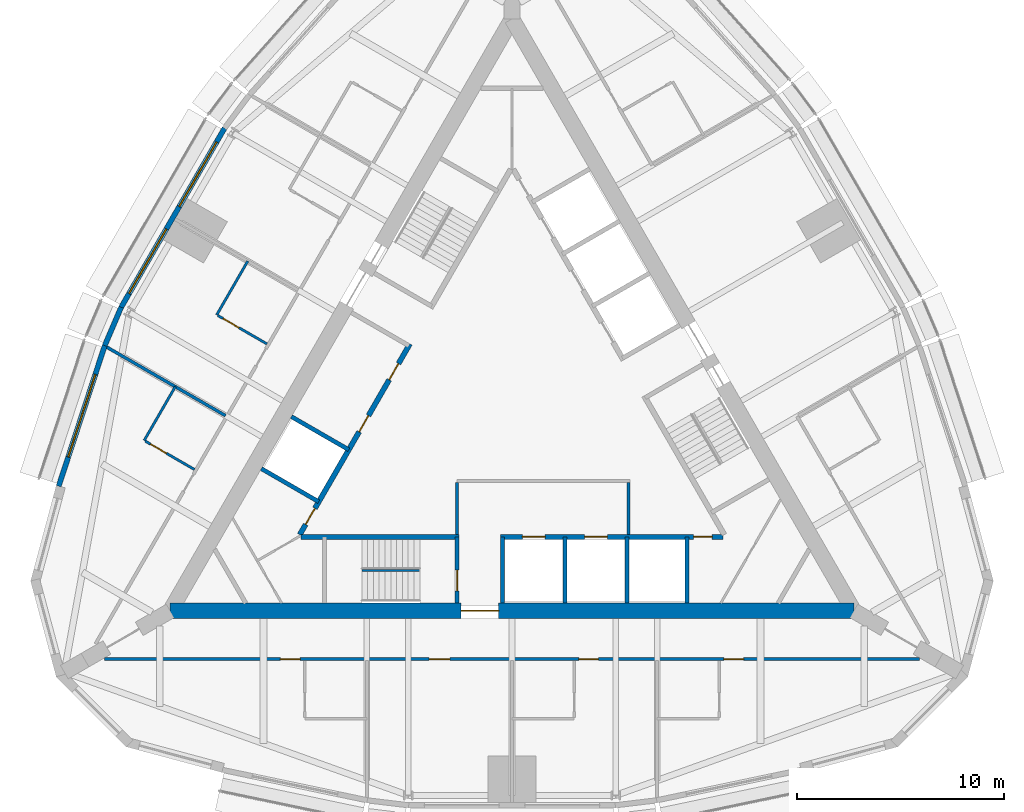
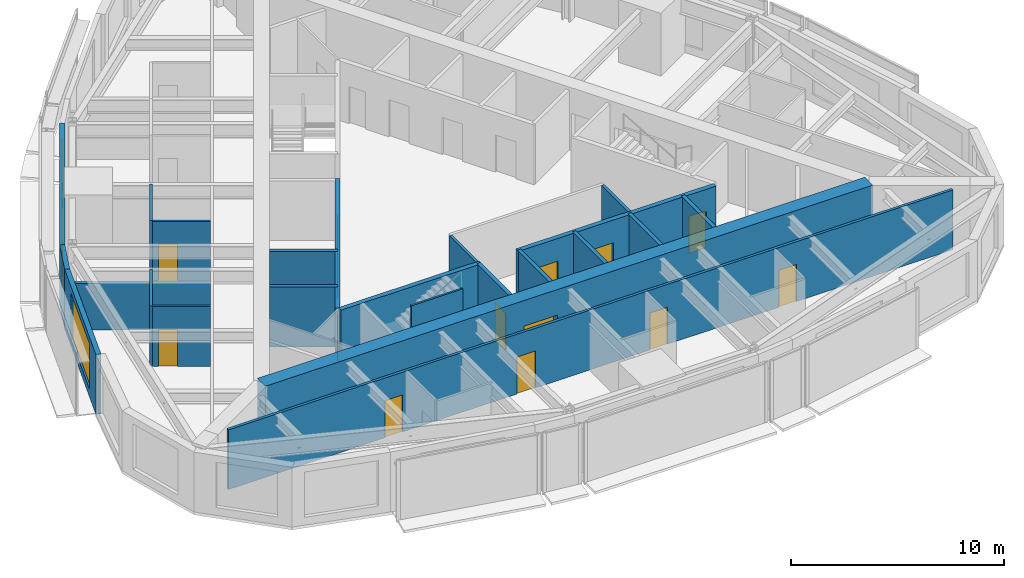
# One storey, part 8 of 12: 23 walls, 14 doors, 3 windows, 17 openings.
"""IFC4 building model written with IfcOpenShell, lengths in metres."""

from ifc_helpers import new_model, si_unit, direction, frame, frame_2d, origin, place, context, subcontext, project, spatial, rectangle, extrude, material, layer, layer_set, type_object, element, fill, save


model = new_model("IFC4")

# Units and contexts
model_context = context("Model", 3, precision=1e-05, world=origin(), true_north=direction((0.0, 1.0)))
body_context = subcontext(model_context, "Body", "Model", "MODEL_VIEW")
ifc_project = project(units=[si_unit("LENGTHUNIT", "METRE"), si_unit("AREAUNIT", "SQUARE_METRE"), si_unit("VOLUMEUNIT", "CUBIC_METRE"), si_unit("PLANEANGLEUNIT", "RADIAN"), si_unit("MASSUNIT", "GRAM", prefix="KILO")], contexts=[model_context])

# Site, building, storey
site_placement = place(None, origin())
site = spatial("IfcSite", under=ifc_project, at=site_placement, CompositionType="ELEMENT")
building_placement = place(site_placement, origin())
building = spatial("IfcBuilding", under=site, at=building_placement, Name="Trikona Tower", CompositionType="ELEMENT")
storey_placement = place(building_placement, frame((0.0, 0.0, 242.89990234375)))
storey = spatial("IfcBuildingStorey", under=building, at=storey_placement, Name="L64", CompositionType="ELEMENT", Elevation=242.89990234375)

# Wall
ifc_material_1 = material(Name="Metal stud and cement board", Category="gypsum")
ifc_layer_1 = layer(ifc_material_1, 0.1201171875)
ifc_layer_set_1 = layer_set([ifc_layer_1], Name="Bathroom wall 120")
wall_type_1 = type_object("IfcWallType", Name="Bathroom wall 120", PredefinedType="PLUMBINGWALL", material=ifc_layer_set_1)
wall_1_placement = place(storey_placement, frame((-12.75341796875, 7.363037109375, 0.0), z_axis=(0.0, 0.0, 1.0), x_axis=(-0.50002537861, -0.866010750942, 0.0)))
element("IfcWall", 1, at=wall_1_placement, inside=storey, type_object=wall_type_1, Name="Bathroom wall 6408", PredefinedType="PLUMBINGWALL", context=body_context, shape_type="SweptSolid", body=[
    extrude(rectangle(XDim=2.999755859375, YDim=0.1201171875, at=frame_2d((1.5, 0.0))), origin(), (0.0, 0.0, 1.0), 3.43505859375),
])

# Wall, opening, door
wall_2_placement = place(storey_placement, frame((-11.82861328125, 3.364990234375, 0.0), z_axis=(0.0, 0.0, 1.0), x_axis=(-0.865997131366, 0.500048966069, 0.0)))
wall_2 = element("IfcWall", 2, at=wall_2_placement, inside=storey, type_object=wall_type_1, Name="Bathroom wall 6408", PredefinedType="PLUMBINGWALL", context=body_context, shape_type="SweptSolid", body=[
    extrude(rectangle(XDim=2.739990234375, YDim=0.1201171875, at=frame_2d((1.3701171875, 0.0))), origin(), (0.0, 0.0, 1.0), 3.43505859375),
])
opening_1_placement = place(wall_2_placement, frame((1.550048828125, 0.0, 0.0)))
opening_1 = element("IfcOpeningElement", 3, at=opening_1_placement, cuts=wall_2, Name="Opening D2", PredefinedType="OPENING", context=body_context, shape_type="SweptSolid", body=[
    extrude(rectangle(XDim=0.89990234375, YDim=2.1298828125, at=frame_2d((0.449951171875, 1.06494140625))), frame((0.0, 0.070068359375, 0.0), z_axis=(0.0, -1.0, 0.0), x_axis=(1.0, 0.0, 0.0)), (0.0, 0.0, 1.0), 0.14013671875),
])
ifc_material_2 = material(Name="Steel door frame with solid-core timber leaf", Category="steel")
door_type_1 = type_object("IfcDoorType", Name="Bathroom door 900x2130", OperationType="SLIDING_TO_LEFT", PredefinedType="DOOR", material=ifc_material_2)
door_1_placement = place(opening_1_placement, origin())
door_1 = element("IfcDoor", 4, at=door_1_placement, inside=storey, type_object=door_type_1, Name="Bathroom door 6408", OperationType="SLIDING_TO_LEFT", OverallHeight=2.1298828125, OverallWidth=0.89990234375, PredefinedType="DOOR", context=body_context, shape_type="SweptSolid", body=[
    extrude(rectangle(XDim=0.89990234375, YDim=2.1298828125, at=frame_2d((0.449951171875, 1.06494140625))), frame((0.0, 0.02490234375, 0.0), z_axis=(0.0, -1.0, 0.0), x_axis=(1.0, 0.0, 0.0)), (0.0, 0.0, 1.0), 0.050048828125),
])
fill(opening_1, door_1)

# Wall
wall_3_placement = place(storey_placement, frame((-16.25341796875, 1.301025390625, 0.0), z_axis=(0.0, 0.0, 1.0), x_axis=(-0.499990139034, -0.866031096941, 0.0)))
element("IfcWall", 5, at=wall_3_placement, inside=storey, type_object=wall_type_1, Name="Bathroom wall 6409", PredefinedType="PLUMBINGWALL", context=body_context, shape_type="SweptSolid", body=[
    extrude(rectangle(XDim=3.0, YDim=0.1201171875, at=frame_2d((1.5, 0.0))), origin(), (0.0, 0.0, 1.0), 3.43505859375),
])

# Wall, opening, door
wall_4_placement = place(storey_placement, frame((-15.32861328125, -2.697021484375, 0.0), z_axis=(0.0, 0.0, 1.0), x_axis=(-0.866035715982, 0.499982138324, 0.0)))
wall_4 = element("IfcWall", 6, at=wall_4_placement, inside=storey, type_object=wall_type_1, Name="Bathroom wall 6409", PredefinedType="PLUMBINGWALL", context=body_context, shape_type="SweptSolid", body=[
    extrude(rectangle(XDim=2.73974609375, YDim=0.1201171875, at=frame_2d((1.369873046875, 0.0))), origin(), (0.0, 0.0, 1.0), 3.43505859375),
])
opening_2_placement = place(wall_4_placement, frame((1.550048828125, 0.0, 0.0)))
opening_2 = element("IfcOpeningElement", 7, at=opening_2_placement, cuts=wall_4, Name="Opening D2", PredefinedType="OPENING", context=body_context, shape_type="SweptSolid", body=[
    extrude(rectangle(XDim=0.89990234375, YDim=2.1298828125, at=frame_2d((0.449951171875, 1.06494140625))), frame((0.0, 0.070068359375, 0.0), z_axis=(0.0, -1.0, 0.0), x_axis=(1.0, 0.0, 0.0)), (0.0, 0.0, 1.0), 0.14013671875),
])
door_2_placement = place(opening_2_placement, origin())
door_2 = element("IfcDoor", 8, at=door_2_placement, inside=storey, type_object=door_type_1, Name="Bathroom door 6409", OperationType="SLIDING_TO_LEFT", OverallHeight=2.1298828125, OverallWidth=0.89990234375, PredefinedType="DOOR", context=body_context, shape_type="SweptSolid", body=[
    extrude(rectangle(XDim=0.89990234375, YDim=2.1298828125, at=frame_2d((0.449951171875, 1.06494140625))), frame((0.0, 0.02490234375, 0.0), z_axis=(0.0, -1.0, 0.0), x_axis=(1.0, 0.0, 0.0)), (0.0, 0.0, 1.0), 0.050048828125),
])
fill(opening_2, door_2)

ifc_material_3 = material(Name="Concrete f'c 10000 psi", Category="concrete")
ifc_layer_2 = layer(ifc_material_3, 0.75)
ifc_layer_set_2 = layer_set([ifc_layer_2], Name="Core wall 750")
wall_type_2 = type_object("IfcWallType", Name="Core wall 750", PredefinedType="SHEAR", material=ifc_layer_set_2)
wall_5_placement = place(storey_placement, frame((-16.5, -9.5263671875, 0.0), z_axis=(0.0, 0.0, 1.0), x_axis=(1.0, 0.0, 0.0)))
wall_5 = element("IfcWall", 9, at=wall_5_placement, inside=storey, type_object=wall_type_2, Name="Core wall A", PredefinedType="SHEAR", context=body_context, shape_type="SweptSolid", body=[
    extrude(rectangle(XDim=33.0, YDim=0.75, at=frame_2d((16.5, 0.0))), origin(), (0.0, 0.0, 1.0), 3.60009765625),
])
opening_3_placement = place(wall_5_placement, frame((14.050048828125, 0.0, 0.0)))
opening_3 = element("IfcOpeningElement", 10, at=opening_3_placement, cuts=wall_5, Name="Opening D6", PredefinedType="OPENING", context=body_context, shape_type="SweptSolid", body=[
    extrude(rectangle(XDim=1.800048828125, YDim=2.1298828125, at=frame_2d((0.89990234375, 1.06494140625))), frame((0.0, 0.385009765625, 0.0), z_axis=(0.0, -1.0, 0.0), x_axis=(1.0, 0.0, 0.0)), (0.0, 0.0, 1.0), 0.77001953125),
])
ifc_material_4 = material(Name="Hollow metal door and frame", Category="steel")
door_type_2 = type_object("IfcDoorType", Name="Lobby door pair 1800x2130", OperationType="DOUBLE_DOOR_SINGLE_SWING", PredefinedType="DOOR", material=ifc_material_4)
door_3_placement = place(opening_3_placement, origin())
door_3 = element("IfcDoor", 11, at=door_3_placement, inside=storey, type_object=door_type_2, Name="Fire service lift lobby door", OperationType="DOUBLE_DOOR_SINGLE_SWING", OverallHeight=2.1298828125, OverallWidth=1.800048828125, PredefinedType="DOOR", context=body_context, shape_type="SweptSolid", body=[
    extrude(rectangle(XDim=1.800048828125, YDim=2.1298828125, at=frame_2d((0.89990234375, 1.06494140625))), frame((0.0, 0.02490234375, 0.0), z_axis=(0.0, -1.0, 0.0), x_axis=(1.0, 0.0, 0.0)), (0.0, 0.0, 1.0), 0.050048828125),
])
fill(opening_3, door_3)

# Wall, openings, doors
ifc_material_5 = material(Name="Metal stud and gypsum board, 1-hour", Category="gypsum")
ifc_layer_3 = layer(ifc_material_5, 0.14990234375)
ifc_layer_set_3 = layer_set([ifc_layer_3], Name="Corridor wall 150")
wall_type_3 = type_object("IfcWallType", Name="Corridor wall 150", PredefinedType="PARTITIONING", material=ifc_layer_set_3)
wall_6_placement = place(storey_placement, frame((-19.677001953125, -11.851318359375, 0.0), z_axis=(0.0, 0.0, 1.0), x_axis=(1.0, 0.0, 0.0)))
wall_6 = element("IfcWall", 12, at=wall_6_placement, inside=storey, type_object=wall_type_3, Name="Corridor wall L64-1", PredefinedType="PARTITIONING", context=body_context, shape_type="SweptSolid", body=[
    extrude(rectangle(XDim=39.35400390625, YDim=0.14990234375, at=frame_2d((19.677001953125, 0.0))), origin(), (0.0, 0.0, 1.0), 3.43505859375),
])
opening_4_placement = place(wall_6_placement, frame((8.501953125, 0.0, 0.0)))
opening_4 = element("IfcOpeningElement", 13, at=opening_4_placement, cuts=wall_6, Name="Opening D1", PredefinedType="OPENING", context=body_context, shape_type="SweptSolid", body=[
    extrude(rectangle(XDim=0.949951171875, YDim=2.1298828125, at=frame_2d((0.47509765625, 1.06494140625))), frame((0.0, 0.0849609375, 0.0), z_axis=(0.0, -1.0, 0.0), x_axis=(1.0, 0.0, 0.0)), (0.0, 0.0, 1.0), 0.169921875),
])
opening_5_placement = place(wall_6_placement, frame((15.677001953125, 0.0, 0.0)))
opening_5 = element("IfcOpeningElement", 14, at=opening_5_placement, cuts=wall_6, Name="Opening D3", PredefinedType="OPENING", context=body_context, shape_type="SweptSolid", body=[
    extrude(rectangle(XDim=1.0, YDim=2.1298828125, at=frame_2d((0.5, 1.06494140625))), frame((0.0, 0.0849609375, 0.0), z_axis=(0.0, -1.0, 0.0), x_axis=(1.0, 0.0, 0.0)), (0.0, 0.0, 1.0), 0.169921875),
])
opening_6_placement = place(wall_6_placement, frame((22.902099609375, 0.0, 0.0)))
opening_6 = element("IfcOpeningElement", 15, at=opening_6_placement, cuts=wall_6, Name="Opening D1", PredefinedType="OPENING", context=body_context, shape_type="SweptSolid", body=[
    extrude(rectangle(XDim=0.949951171875, YDim=2.1298828125, at=frame_2d((0.47509765625, 1.06494140625))), frame((0.0, 0.0849609375, 0.0), z_axis=(0.0, -1.0, 0.0), x_axis=(1.0, 0.0, 0.0)), (0.0, 0.0, 1.0), 0.169921875),
])
opening_7_placement = place(wall_6_placement, frame((29.902099609375, 0.0, 0.0)))
opening_7 = element("IfcOpeningElement", 16, at=opening_7_placement, cuts=wall_6, Name="Opening D1", PredefinedType="OPENING", context=body_context, shape_type="SweptSolid", body=[
    extrude(rectangle(XDim=0.949951171875, YDim=2.1298828125, at=frame_2d((0.47509765625, 1.06494140625))), frame((0.0, 0.0849609375, 0.0), z_axis=(0.0, -1.0, 0.0), x_axis=(1.0, 0.0, 0.0)), (0.0, 0.0, 1.0), 0.169921875),
])
ifc_material_6 = material(Name="Steel door frame with solid-core timber leaf", Category="steel")
door_type_3 = type_object("IfcDoorType", Name="Guest room door 950x2130", OperationType="SINGLE_SWING_LEFT", PredefinedType="DOOR", material=ifc_material_6)
door_4_placement = place(opening_4_placement, origin())
door_4 = element("IfcDoor", 17, at=door_4_placement, inside=storey, type_object=door_type_3, Name="Room door 6401", OperationType="SINGLE_SWING_LEFT", OverallHeight=2.1298828125, OverallWidth=0.949951171875, PredefinedType="DOOR", context=body_context, shape_type="SweptSolid", body=[
    extrude(rectangle(XDim=0.949951171875, YDim=2.1298828125, at=frame_2d((0.47509765625, 1.06494140625))), frame((0.0, 0.02490234375, 0.0), z_axis=(0.0, -1.0, 0.0), x_axis=(1.0, 0.0, 0.0)), (0.0, 0.0, 1.0), 0.050048828125),
])
fill(opening_4, door_4)
door_5_placement = place(opening_6_placement, origin())
door_5 = element("IfcDoor", 18, at=door_5_placement, inside=storey, type_object=door_type_3, Name="Room door 6402", OperationType="SINGLE_SWING_LEFT", OverallHeight=2.1298828125, OverallWidth=0.949951171875, PredefinedType="DOOR", context=body_context, shape_type="SweptSolid", body=[
    extrude(rectangle(XDim=0.949951171875, YDim=2.1298828125, at=frame_2d((0.47509765625, 1.06494140625))), frame((0.0, 0.02490234375, 0.0), z_axis=(0.0, -1.0, 0.0), x_axis=(1.0, 0.0, 0.0)), (0.0, 0.0, 1.0), 0.050048828125),
])
fill(opening_6, door_5)
door_6_placement = place(opening_7_placement, origin())
door_6 = element("IfcDoor", 19, at=door_6_placement, inside=storey, type_object=door_type_3, Name="Room door 6403", OperationType="SINGLE_SWING_RIGHT", OverallHeight=2.1298828125, OverallWidth=0.949951171875, PredefinedType="DOOR", context=body_context, shape_type="SweptSolid", body=[
    extrude(rectangle(XDim=0.949951171875, YDim=2.1298828125, at=frame_2d((0.47509765625, 1.06494140625))), frame((0.0, 0.02490234375, 0.0), z_axis=(0.0, -1.0, 0.0), x_axis=(1.0, 0.0, 0.0)), (0.0, 0.0, 1.0), 0.050048828125),
])
fill(opening_7, door_6)
ifc_material_7 = material(Name="Steel door frame with solid-core timber leaf", Category="steel")
door_type_4 = type_object("IfcDoorType", Name="Room door 1000x2130", OperationType="SINGLE_SWING_LEFT", PredefinedType="DOOR", material=ifc_material_7)
door_7_placement = place(opening_5_placement, origin())
door_7 = element("IfcDoor", 20, at=door_7_placement, inside=storey, type_object=door_type_4, Name="Door Housekeeping pantry", OperationType="SINGLE_SWING_RIGHT", OverallHeight=2.1298828125, OverallWidth=1.0, PredefinedType="DOOR", context=body_context, shape_type="SweptSolid", body=[
    extrude(rectangle(XDim=1.0, YDim=2.1298828125, at=frame_2d((0.5, 1.06494140625))), frame((0.0, 0.02490234375, 0.0), z_axis=(0.0, -1.0, 0.0), x_axis=(1.0, 0.0, 0.0)), (0.0, 0.0, 1.0), 0.050048828125),
])
fill(opening_5, door_7)

# Wall
ifc_material_8 = material(Name="Concrete f'c 8000 psi", Category="concrete")
ifc_layer_4 = layer(ifc_material_8, 0.25)
ifc_layer_set_4 = layer_set([ifc_layer_4], Name="Hub wall 250")
wall_type_4 = type_object("IfcWallType", Name="Hub wall 250", PredefinedType="SOLIDWALL", material=ifc_layer_set_4)
wall_7_placement = place(storey_placement, frame((-10.182861328125, -5.951416015625, 0.0), z_axis=(0.0, 0.0, 1.0), x_axis=(1.0, 0.0, 0.0)))
element("IfcWall", 21, at=wall_7_placement, inside=storey, type_object=wall_type_4, Name="Lift lobby wall A1", PredefinedType="SOLIDWALL", context=body_context, shape_type="SweptSolid", body=[
    extrude(rectangle(XDim=7.6328125, YDim=0.25, at=frame_2d((3.81640625, 0.0))), origin(), (0.0, 0.0, 1.0), 3.43505859375),
])

# Wall, openings, doors
wall_8_placement = place(storey_placement, frame((-0.550048828125, -5.951416015625, 0.0), z_axis=(0.0, 0.0, 1.0), x_axis=(1.0, 0.0, 0.0)))
wall_8 = element("IfcWall", 22, at=wall_8_placement, inside=storey, type_object=wall_type_4, Name="Lift lobby wall A2", PredefinedType="SOLIDWALL", context=body_context, shape_type="SweptSolid", body=[
    extrude(rectangle(XDim=10.73291015625, YDim=0.25, at=frame_2d((5.366455078125, 0.0))), origin(), (0.0, 0.0, 1.0), 3.43505859375),
])
opening_8_placement = place(wall_8_placement, frame((9.31396484375, 0.0, 0.0)))
opening_8 = element("IfcOpeningElement", 23, at=opening_8_placement, cuts=wall_8, Name="Opening D14", PredefinedType="OPENING", context=body_context, shape_type="SweptSolid", body=[
    extrude(rectangle(XDim=0.89990234375, YDim=2.1298828125, at=frame_2d((0.449951171875, 1.06494140625))), frame((0.0, 0.135009765625, 0.0), z_axis=(0.0, -1.0, 0.0), x_axis=(1.0, 0.0, 0.0)), (0.0, 0.0, 1.0), 0.27001953125),
])
opening_9_placement = place(wall_8_placement, frame((1.050048828125, 0.0, 0.0)))
opening_9 = element("IfcOpeningElement", 24, at=opening_9_placement, cuts=wall_8, Name="Opening LD", PredefinedType="OPENING", context=body_context, shape_type="SweptSolid", body=[
    extrude(rectangle(XDim=1.10009765625, YDim=2.1298828125, at=frame_2d((0.550048828125, 1.06494140625))), frame((0.0, 0.135009765625, 0.0), z_axis=(0.0, -1.0, 0.0), x_axis=(1.0, 0.0, 0.0)), (0.0, 0.0, 1.0), 0.27001953125),
])
opening_10_placement = place(wall_8_placement, frame((4.050048828125, 0.0, 0.0)))
opening_10 = element("IfcOpeningElement", 25, at=opening_10_placement, cuts=wall_8, Name="Opening LD", PredefinedType="OPENING", context=body_context, shape_type="SweptSolid", body=[
    extrude(rectangle(XDim=1.10009765625, YDim=2.1298828125, at=frame_2d((0.550048828125, 1.06494140625))), frame((0.0, 0.135009765625, 0.0), z_axis=(0.0, -1.0, 0.0), x_axis=(1.0, 0.0, 0.0)), (0.0, 0.0, 1.0), 0.27001953125),
])
ifc_material_9 = material(Name="Stainless steel lift landing door", Category="steel")
door_type_5 = type_object("IfcDoorType", Name="Lift landing door 1100x2130", OperationType="DOUBLE_DOOR_SLIDING", PredefinedType="USERDEFINED", material=ifc_material_9)
door_8_placement = place(opening_9_placement, origin())
door_8 = element("IfcDoor", 26, at=door_8_placement, inside=storey, type_object=door_type_5, Name="Lift landing door FF1", ObjectType="LIFT LANDING DOOR", OperationType="DOUBLE_DOOR_SLIDING", OverallHeight=2.1298828125, OverallWidth=1.10009765625, PredefinedType="USERDEFINED", context=body_context, shape_type="SweptSolid", body=[
    extrude(rectangle(XDim=1.10009765625, YDim=2.1298828125, at=frame_2d((0.550048828125, 1.06494140625))), frame((0.0, 0.02490234375, 0.0), z_axis=(0.0, -1.0, 0.0), x_axis=(1.0, 0.0, 0.0)), (0.0, 0.0, 1.0), 0.050048828125),
])
fill(opening_9, door_8)
door_9_placement = place(opening_10_placement, origin())
door_9 = element("IfcDoor", 27, at=door_9_placement, inside=storey, type_object=door_type_5, Name="Lift landing door FF2", ObjectType="LIFT LANDING DOOR", OperationType="DOUBLE_DOOR_SLIDING", OverallHeight=2.1298828125, OverallWidth=1.10009765625, PredefinedType="USERDEFINED", context=body_context, shape_type="SweptSolid", body=[
    extrude(rectangle(XDim=1.10009765625, YDim=2.1298828125, at=frame_2d((0.550048828125, 1.06494140625))), frame((0.0, 0.02490234375, 0.0), z_axis=(0.0, -1.0, 0.0), x_axis=(1.0, 0.0, 0.0)), (0.0, 0.0, 1.0), 0.050048828125),
])
fill(opening_10, door_9)
ifc_material_10 = material(Name="Hollow metal door and frame", Category="steel")
door_type_6 = type_object("IfcDoorType", Name="Service room door 900x2130", OperationType="SINGLE_SWING_LEFT", PredefinedType="DOOR", material=ifc_material_10)
door_10_placement = place(opening_8_placement, origin())
door_10 = element("IfcDoor", 28, at=door_10_placement, inside=storey, type_object=door_type_6, Name="Door Housekeeping store HKS", OperationType="SINGLE_SWING_RIGHT", OverallHeight=2.1298828125, OverallWidth=0.89990234375, PredefinedType="DOOR", context=body_context, shape_type="SweptSolid", body=[
    extrude(rectangle(XDim=0.89990234375, YDim=2.1298828125, at=frame_2d((0.449951171875, 1.06494140625))), frame((0.0, 0.02490234375, 0.0), z_axis=(0.0, -1.0, 0.0), x_axis=(1.0, 0.0, 0.0)), (0.0, 0.0, 1.0), 0.050048828125),
])
fill(opening_8, door_10)

wall_9_placement = place(storey_placement, frame((-4.928955078125, 3.365478515625, 0.0), z_axis=(0.0, 0.0, 1.0), x_axis=(-0.499991433582, -0.866030349552, 0.0)))
wall_9 = element("IfcWall", 29, at=wall_9_placement, inside=storey, type_object=wall_type_4, Name="Lift lobby wall C2", PredefinedType="SOLIDWALL", context=body_context, shape_type="SweptSolid", body=[
    extrude(rectangle(XDim=10.633056640625, YDim=0.25, at=frame_2d((5.31640625, 0.0))), origin(), (0.0, 0.0, 1.0), 3.43505859375),
])
opening_11_placement = place(wall_9_placement, frame((9.1640625, 0.0, 0.0)))
opening_11 = element("IfcOpeningElement", 30, at=opening_11_placement, cuts=wall_9, Name="Opening D14", PredefinedType="OPENING", context=body_context, shape_type="SweptSolid", body=[
    extrude(rectangle(XDim=0.89990234375, YDim=2.1298828125, at=frame_2d((0.449951171875, 1.06494140625))), frame((0.0, 0.135009765625, 0.0), z_axis=(0.0, -1.0, 0.0), x_axis=(1.0, 0.0, 0.0)), (0.0, 0.0, 1.0), 0.27001953125),
])
opening_12_placement = place(wall_9_placement, frame((1.10009765625, 0.0, 0.0)))
opening_12 = element("IfcOpeningElement", 31, at=opening_12_placement, cuts=wall_9, Name="Opening D14", PredefinedType="OPENING", context=body_context, shape_type="SweptSolid", body=[
    extrude(rectangle(XDim=0.89990234375, YDim=2.1298828125, at=frame_2d((0.449951171875, 1.06494140625))), frame((0.0, 0.135009765625, 0.0), z_axis=(0.0, -1.0, 0.0), x_axis=(1.0, 0.0, 0.0)), (0.0, 0.0, 1.0), 0.27001953125),
])
opening_13_placement = place(wall_9_placement, frame((4.0, 0.0, 0.0)))
opening_13 = element("IfcOpeningElement", 32, at=opening_13_placement, cuts=wall_9, Name="Opening D14", PredefinedType="OPENING", context=body_context, shape_type="SweptSolid", body=[
    extrude(rectangle(XDim=0.89990234375, YDim=2.1298828125, at=frame_2d((0.449951171875, 1.06494140625))), frame((0.0, 0.135009765625, 0.0), z_axis=(0.0, -1.0, 0.0), x_axis=(1.0, 0.0, 0.0)), (0.0, 0.0, 1.0), 0.27001953125),
])
door_11_placement = place(opening_11_placement, origin())
door_11 = element("IfcDoor", 33, at=door_11_placement, inside=storey, type_object=door_type_6, Name="Door Linen store LIN", OperationType="SINGLE_SWING_RIGHT", OverallHeight=2.1298828125, OverallWidth=0.89990234375, PredefinedType="DOOR", context=body_context, shape_type="SweptSolid", body=[
    extrude(rectangle(XDim=0.89990234375, YDim=2.1298828125, at=frame_2d((0.449951171875, 1.06494140625))), frame((0.0, 0.02490234375, 0.0), z_axis=(0.0, -1.0, 0.0), x_axis=(1.0, 0.0, 0.0)), (0.0, 0.0, 1.0), 0.050048828125),
])
fill(opening_11, door_11)
door_12_placement = place(opening_12_placement, origin())
door_12 = element("IfcDoor", 34, at=door_12_placement, inside=storey, type_object=door_type_6, Name="Door Amenity store AMS1", OperationType="SINGLE_SWING_LEFT", OverallHeight=2.1298828125, OverallWidth=0.89990234375, PredefinedType="DOOR", context=body_context, shape_type="SweptSolid", body=[
    extrude(rectangle(XDim=0.89990234375, YDim=2.1298828125, at=frame_2d((0.449951171875, 1.06494140625))), frame((0.0, 0.02490234375, 0.0), z_axis=(0.0, -1.0, 0.0), x_axis=(1.0, 0.0, 0.0)), (0.0, 0.0, 1.0), 0.050048828125),
])
fill(opening_12, door_12)
door_13_placement = place(opening_13_placement, origin())
door_13 = element("IfcDoor", 35, at=door_13_placement, inside=storey, type_object=door_type_6, Name="Door Amenity store AMS1", OperationType="SINGLE_SWING_RIGHT", OverallHeight=2.1298828125, OverallWidth=0.89990234375, PredefinedType="DOOR", context=body_context, shape_type="SweptSolid", body=[
    extrude(rectangle(XDim=0.89990234375, YDim=2.1298828125, at=frame_2d((0.449951171875, 1.06494140625))), frame((0.0, 0.02490234375, 0.0), z_axis=(0.0, -1.0, 0.0), x_axis=(1.0, 0.0, 0.0)), (0.0, 0.0, 1.0), 0.050048828125),
])
fill(opening_13, door_13)

# Wall, openings, windows
ifc_material_11 = material(Name="Insulated precast concrete spandrel panel", Category="concrete")
ifc_layer_5 = layer(ifc_material_11, 0.25)
ifc_layer_set_5 = layer_set([ifc_layer_5], Name="Inner skin wall 250")
wall_type_5 = type_object("IfcWallType", Name="Inner skin wall 250", PredefinedType="STANDARD", material=ifc_layer_set_5)
wall_10_placement = place(storey_placement, frame((-13.87255859375, 13.782958984375, 0.0), z_axis=(0.0, 0.0, 1.0), x_axis=(-0.499993662806, -0.866029062534, 0.0)))
wall_10 = element("IfcWall", 36, at=wall_10_placement, inside=storey, type_object=wall_type_5, Name="External wall L64-20", PredefinedType="STANDARD", context=body_context, shape_type="SweptSolid", body=[
    extrude(rectangle(XDim=10.000244140625, YDim=0.25, at=frame_2d((5.0, 0.0))), origin(), (0.0, 0.0, 1.0), 3.43505859375),
])
opening_14_placement = place(wall_10_placement, frame((0.77490234375, 0.0, 0.449951171875)))
opening_14 = element("IfcOpeningElement", 37, at=opening_14_placement, cuts=wall_10, Name="Opening W3626", PredefinedType="OPENING", context=body_context, shape_type="SweptSolid", body=[
    extrude(rectangle(XDim=3.60009765625, YDim=2.60009765625, at=frame_2d((1.800048828125, 1.300048828125))), frame((0.0, 0.135009765625, 0.0), z_axis=(0.0, -1.0, 0.0), x_axis=(1.0, 0.0, 0.0)), (0.0, 0.0, 1.0), 0.27001953125),
])
opening_15_placement = place(wall_10_placement, frame((5.625, 0.0, 0.449951171875)))
opening_15 = element("IfcOpeningElement", 38, at=opening_15_placement, cuts=wall_10, Name="Opening W3626", PredefinedType="OPENING", context=body_context, shape_type="SweptSolid", body=[
    extrude(rectangle(XDim=3.60009765625, YDim=2.60009765625, at=frame_2d((1.800048828125, 1.300048828125))), frame((0.0, 0.135009765625, 0.0), z_axis=(0.0, -1.0, 0.0), x_axis=(1.0, 0.0, 0.0)), (0.0, 0.0, 1.0), 0.27001953125),
])
ifc_material_12 = material(Name="Aluminium-framed double glazing", Category="aluminium")
window_type_1 = type_object("IfcWindowType", Name="Window 3600x2600", PartitioningType="SINGLE_PANEL", PredefinedType="WINDOW", material=ifc_material_12)
window_1_placement = place(opening_14_placement, origin())
window_1 = element("IfcWindow", 39, at=window_1_placement, inside=storey, type_object=window_type_1, Name="Window 6407", OverallHeight=2.60009765625, OverallWidth=3.60009765625, PartitioningType="SINGLE_PANEL", PredefinedType="WINDOW", context=body_context, shape_type="SweptSolid", body=[
    extrude(rectangle(XDim=3.60009765625, YDim=2.60009765625, at=frame_2d((1.800048828125, 1.300048828125))), frame((0.0, 0.030029296875, 0.0), z_axis=(0.0, -1.0, 0.0), x_axis=(1.0, 0.0, 0.0)), (0.0, 0.0, 1.0), 0.06005859375),
])
fill(opening_14, window_1)
window_2_placement = place(opening_15_placement, origin())
window_2 = element("IfcWindow", 40, at=window_2_placement, inside=storey, type_object=window_type_1, Name="Window 6408", OverallHeight=2.60009765625, OverallWidth=3.60009765625, PartitioningType="SINGLE_PANEL", PredefinedType="WINDOW", context=body_context, shape_type="SweptSolid", body=[
    extrude(rectangle(XDim=3.60009765625, YDim=2.60009765625, at=frame_2d((1.800048828125, 1.300048828125))), frame((0.0, 0.030029296875, 0.0), z_axis=(0.0, -1.0, 0.0), x_axis=(1.0, 0.0, 0.0)), (0.0, 0.0, 1.0), 0.06005859375),
])
fill(opening_15, window_2)

# Wall
wall_11_placement = place(storey_placement, frame((-18.865966796875, 5.135986328125, 0.0), z_axis=(0.0, 0.0, 1.0), x_axis=(-0.393290226175, -0.91941437774, 0.0)))
element("IfcWall", 41, at=wall_11_placement, inside=storey, type_object=wall_type_5, Name="External wall L64-21", PredefinedType="STANDARD", context=body_context, shape_type="SweptSolid", body=[
    extrude(rectangle(XDim=2.014404296875, YDim=0.25, at=frame_2d((1.00732421875, 0.0))), origin(), (0.0, 0.0, 1.0), 3.43505859375),
])

# Wall, opening, window
wall_12_placement = place(storey_placement, frame((-19.654296875, 3.294189453125, 0.0), z_axis=(0.0, 0.0, 1.0), x_axis=(-0.311328857048, -0.95030223759, 0.0)))
wall_12 = element("IfcWall", 42, at=wall_12_placement, inside=storey, type_object=wall_type_5, Name="External wall L64-22", PredefinedType="STANDARD", context=body_context, shape_type="SweptSolid", body=[
    extrude(rectangle(XDim=7.152587890625, YDim=0.25, at=frame_2d((3.576171875, 0.0))), origin(), (0.0, 0.0, 1.0), 3.43505859375),
])
opening_16_placement = place(wall_12_placement, frame((1.476318359375, 0.0, 0.449951171875)))
opening_16 = element("IfcOpeningElement", 43, at=opening_16_placement, cuts=wall_12, Name="Opening W4226", PredefinedType="OPENING", context=body_context, shape_type="SweptSolid", body=[
    extrude(rectangle(XDim=4.199951171875, YDim=2.60009765625, at=frame_2d((2.10009765625, 1.300048828125))), frame((0.0, 0.135009765625, 0.0), z_axis=(0.0, -1.0, 0.0), x_axis=(1.0, 0.0, 0.0)), (0.0, 0.0, 1.0), 0.27001953125),
])
ifc_material_13 = material(Name="Aluminium-framed double glazing", Category="aluminium")
window_type_2 = type_object("IfcWindowType", Name="Window 4200x2600", PartitioningType="SINGLE_PANEL", PredefinedType="WINDOW", material=ifc_material_13)
window_3_placement = place(opening_16_placement, origin())
window_3 = element("IfcWindow", 44, at=window_3_placement, inside=storey, type_object=window_type_2, Name="Window 6409", OverallHeight=2.60009765625, OverallWidth=4.199951171875, PartitioningType="SINGLE_PANEL", PredefinedType="WINDOW", context=body_context, shape_type="SweptSolid", body=[
    extrude(rectangle(XDim=4.199951171875, YDim=2.60009765625, at=frame_2d((2.10009765625, 1.300048828125))), frame((0.0, 0.030029296875, 0.0), z_axis=(0.0, -1.0, 0.0), x_axis=(1.0, 0.0, 0.0)), (0.0, 0.0, 1.0), 0.06005859375),
])
fill(opening_16, window_3)

# Walls
ifc_material_14 = material(Name="Metal stud and gypsum board, 2-hour shaft wall", Category="gypsum")
ifc_layer_6 = layer(ifc_material_14, 0.14990234375)
ifc_layer_set_6 = layer_set([ifc_layer_6], Name="Lobby wall 150")
wall_type_6 = type_object("IfcWallType", Name="Lobby wall 150", PredefinedType="PARTITIONING", material=ifc_layer_set_6)
for number, where, z_axis, x_axis, name in (
    (45, (-2.64990234375, -5.826416015625, 0.0), (0.0, 0.0, 1.0), (0.0, 1.0, 0.0), "Fire service lift lobby wall 2"),
    (46, (5.625, -5.826416015625, 0.0), (0.0, 0.0, 1.0), (0.0, 1.0, 0.0), "Fire service lift lobby wall 3"),
):
    element("IfcWall", number, at=place(storey_placement, frame(where, z_axis=z_axis, x_axis=x_axis)), inside=storey, type_object=wall_type_6, Name=name, PredefinedType="PARTITIONING", context=body_context, shape_type="SweptSolid", body=[
        extrude(rectangle(XDim=2.5, YDim=0.14990234375, at=frame_2d((1.25, 0.0))), origin(), (0.0, 0.0, 1.0), 3.43505859375),
    ])
ifc_material_15 = material(Name="Metal stud and gypsum board, 1-hour acoustic", Category="gypsum")
ifc_layer_7 = layer(ifc_material_15, 0.14990234375)
ifc_layer_set_7 = layer_set([ifc_layer_7], Name="Party wall 150")
wall_type_7 = type_object("IfcWallType", Name="Party wall 150", PredefinedType="PARTITIONING", material=ifc_layer_set_7)
wall_13_placement = place(storey_placement, frame((-13.82861328125, -0.09912109375, 0.0), z_axis=(0.0, 0.0, 1.0), x_axis=(-0.866022562216, 0.500004921708, 0.0)))
element("IfcWall", 47, at=wall_13_placement, inside=storey, type_object=wall_type_7, Name="Partition L64 F3 u7", PredefinedType="PARTITIONING", context=body_context, shape_type="SweptSolid", body=[
    extrude(rectangle(XDim=6.60888671875, YDim=0.14990234375, at=frame_2d((3.304443359375, 0.0))), origin(), (0.0, 0.0, 1.0), 2.677978515625),
])
ifc_material_16 = material(Name="Concrete f'c 8000 psi", Category="concrete")
ifc_layer_8 = layer(ifc_material_16, 0.199951171875)
ifc_layer_set_8 = layer_set([ifc_layer_8], Name="Shaft wall 200")
wall_type_8 = type_object("IfcWallType", Name="Shaft wall 200", PredefinedType="SOLIDWALL", material=ifc_layer_set_8)
for number, where, z_axis, x_axis, name in (
    (48, (-0.449951171875, -5.951416015625, 0.0), (0.0, 0.0, 1.0), (0.0, -1.0, 0.0), "Shaft wall A3"),
    (49, (2.550048828125, -5.951416015625, 0.0), (0.0, 0.0, 1.0), (0.0, -1.0, 0.0), "Shaft wall A4"),
    (50, (5.550048828125, -5.951416015625, 0.0), (0.0, 0.0, 1.0), (0.0, -1.0, 0.0), "Shaft wall A5"),
    (51, (8.449951171875, -5.951416015625, 0.0), (0.0, 0.0, 1.0), (0.0, -1.0, 0.0), "Shaft wall A6"),
    (52, (-7.87890625, -1.744140625, 0.0), (0.0, 0.0, 1.0), (-0.866042017984, 0.499971222258, 0.0), "Shaft wall C5"),
):
    element("IfcWall", number, at=place(storey_placement, frame(where, z_axis=z_axis, x_axis=x_axis)), inside=storey, type_object=wall_type_8, Name=name, PredefinedType="SOLIDWALL", context=body_context, shape_type="SweptSolid", body=[
        extrude(rectangle(XDim=3.199951171875, YDim=0.199951171875, at=frame_2d((1.60009765625, 0.0))), origin(), (0.0, 0.0, 1.0), 3.43505859375),
    ])
wall_14_placement = place(storey_placement, frame((-9.3291015625, -4.255615234375, 0.0), z_axis=(0.0, 0.0, 1.0), x_axis=(-0.866022944154, 0.50000426018, 0.0)))
element("IfcWall", 53, at=wall_14_placement, inside=storey, type_object=wall_type_8, Name="Shaft wall C6", PredefinedType="SOLIDWALL", context=body_context, shape_type="SweptSolid", body=[
    extrude(rectangle(XDim=3.19970703125, YDim=0.199951171875, at=frame_2d((1.599853515625, 0.0))), origin(), (0.0, 0.0, 1.0), 3.43505859375),
])

# Wall, opening, door
ifc_material_17 = material(Name="Concrete f'c 8000 psi", Category="concrete")
ifc_layer_9 = layer(ifc_material_17, 0.199951171875)
ifc_layer_set_9 = layer_set([ifc_layer_9], Name="Shaft wall 200 load-bearing")
wall_type_9 = type_object("IfcWallType", Name="Shaft wall 200 load-bearing", PredefinedType="SOLIDWALL", material=ifc_layer_set_9)
wall_15_placement = place(storey_placement, frame((-2.64990234375, -5.951416015625, 0.0), z_axis=(0.0, 0.0, 1.0), x_axis=(0.0, -1.0, 0.0)))
wall_15 = element("IfcWall", 54, at=wall_15_placement, inside=storey, type_object=wall_type_9, Name="Shaft wall A2", PredefinedType="SOLIDWALL", context=body_context, shape_type="SweptSolid", body=[
    extrude(rectangle(XDim=3.199951171875, YDim=0.199951171875, at=frame_2d((1.60009765625, 0.0))), origin(), (0.0, 0.0, 1.0), 3.43505859375),
])
opening_17_placement = place(wall_15_placement, frame((1.60009765625, 0.0, 0.0)))
opening_17 = element("IfcOpeningElement", 55, at=opening_17_placement, cuts=wall_15, Name="Opening D5", PredefinedType="OPENING", context=body_context, shape_type="SweptSolid", body=[
    extrude(rectangle(XDim=1.0, YDim=2.1298828125, at=frame_2d((0.5, 1.06494140625))), frame((0.0, 0.10986328125, 0.0), z_axis=(0.0, -1.0, 0.0), x_axis=(1.0, 0.0, 0.0)), (0.0, 0.0, 1.0), 0.219970703125),
])
ifc_material_18 = material(Name="Hollow metal door and frame", Category="steel")
door_type_7 = type_object("IfcDoorType", Name="Stair door 1000x2130", OperationType="SINGLE_SWING_LEFT", PredefinedType="DOOR", material=ifc_material_18)
door_14_placement = place(opening_17_placement, origin())
door_14 = element("IfcDoor", 56, at=door_14_placement, inside=storey, type_object=door_type_7, Name="Stair A door", OperationType="SINGLE_SWING_RIGHT", OverallHeight=2.1298828125, OverallWidth=1.0, PredefinedType="DOOR", context=body_context, shape_type="SweptSolid", body=[
    extrude(rectangle(XDim=1.0, YDim=2.1298828125, at=frame_2d((0.5, 1.06494140625))), frame((0.0, 0.02490234375, 0.0), z_axis=(0.0, -1.0, 0.0), x_axis=(1.0, 0.0, 0.0)), (0.0, 0.0, 1.0), 0.050048828125),
])
fill(opening_17, door_14)

# Wall
ifc_material_19 = material(Name="Concrete f'c 5000 psi", Category="concrete")
ifc_layer_10 = layer(ifc_material_19, 0.10009765625)
ifc_layer_set_10 = layer_set([ifc_layer_10], Name="Stair spine wall 100")
wall_type_10 = type_object("IfcWallType", Name="Stair spine wall 100", PredefinedType="SOLIDWALL", material=ifc_layer_set_10)
wall_16_placement = place(storey_placement, frame((-7.2470703125, -7.576416015625, 0.0), z_axis=(0.0, 0.0, 1.0), x_axis=(1.0, 0.0, 0.0)))
element("IfcWall", 57, at=wall_16_placement, inside=storey, type_object=wall_type_10, Name="Stair A spine wall L64", PredefinedType="SOLIDWALL", context=body_context, shape_type="SweptSolid", body=[
    extrude(rectangle(XDim=2.794189453125, YDim=0.10009765625, at=frame_2d((1.39697265625, 0.0))), origin(), (0.0, 0.0, 1.0), 3.60009765625),
])

save(model, "model.ifc")
